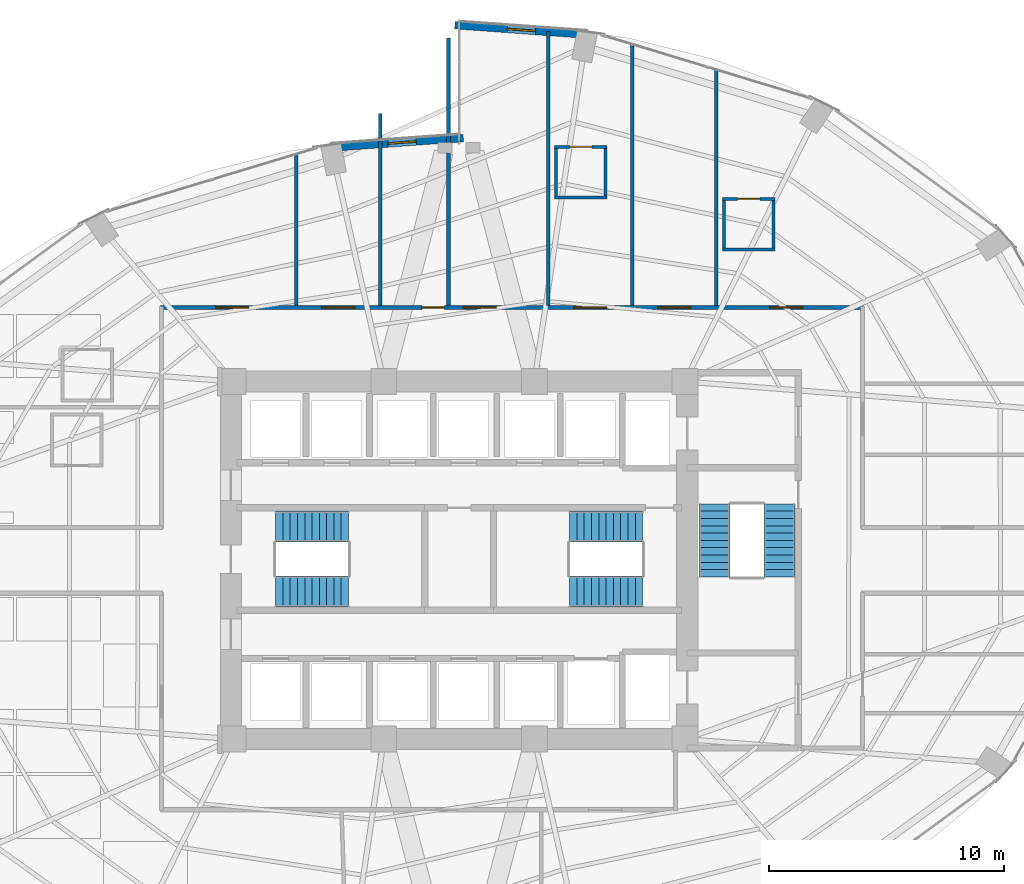
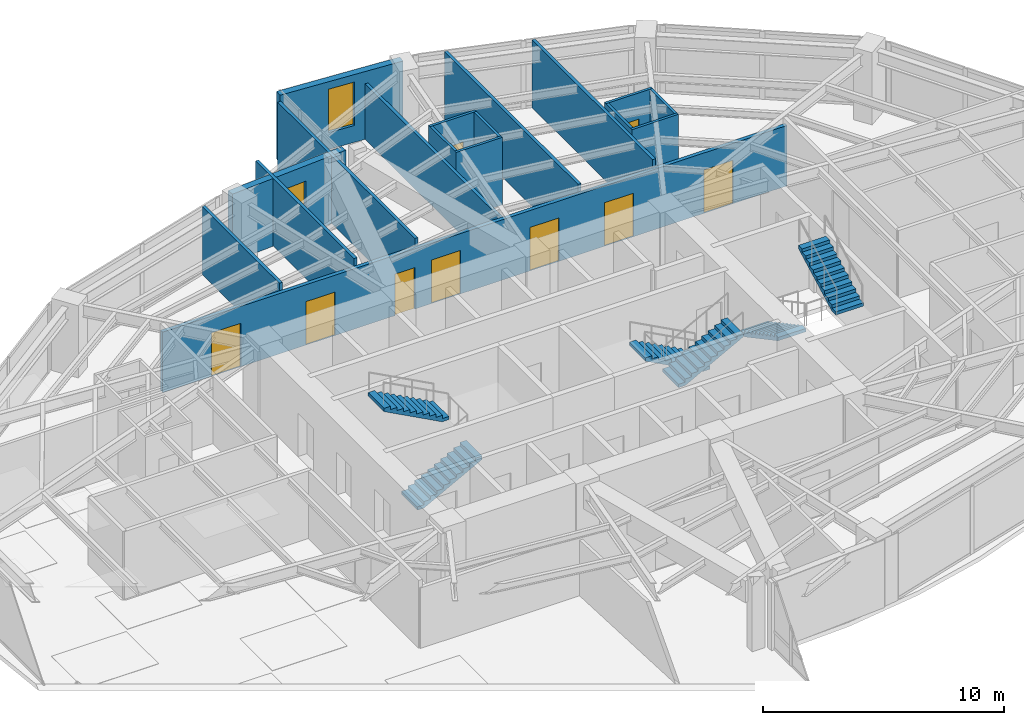
# One storey, part 23 of 25: 17 walls, 9 doors, 6 stair flights, 2 windows, 11 openings, 3 elements without a shape of their own.
"""IFC4 building model written with IfcOpenShell, lengths in metres."""

from ifc_helpers import new_model, si_unit, direction, frame, frame_2d, origin, place, context, subcontext, project, spatial, polyline, rectangle, outline, extrude, material, layer, layer_set, type_object, element, fill, aggregate, save


model = new_model("IFC4")

# Units and contexts
model_context = context("Model", 3, precision=1e-05, world=origin(), true_north=direction((0.0, 1.0)))
body_context = subcontext(model_context, "Body", "Model", "MODEL_VIEW")
ifc_project = project(units=[si_unit("LENGTHUNIT", "METRE"), si_unit("AREAUNIT", "SQUARE_METRE"), si_unit("VOLUMEUNIT", "CUBIC_METRE"), si_unit("PLANEANGLEUNIT", "RADIAN"), si_unit("MASSUNIT", "GRAM", prefix="KILO")], contexts=[model_context])

# Site, building, storey
site_placement = place(None, origin())
site = spatial("IfcSite", under=ifc_project, at=site_placement, CompositionType="ELEMENT")
building_placement = place(site_placement, origin())
building = spatial("IfcBuilding", under=site, at=building_placement, Name="Lazwardi Medical Tower", CompositionType="ELEMENT")
storey_placement = place(building_placement, frame((0.0, 0.0, 50.736083984375)))
storey = spatial("IfcBuildingStorey", under=building, at=storey_placement, Name="L12", CompositionType="ELEMENT", Elevation=50.736083984375)

# Wall, openings, doors
ifc_material_1 = material(Name="Fire-rated gypsum board on steel stud", Category="steel")
ifc_layer_1 = layer(ifc_material_1, 0.179931640625)
ifc_layer_set_1 = layer_set([ifc_layer_1], Name="Fire-rated gypsum board on steel stud")
wall_type_1 = type_object("IfcWallType", Name="WL-COR-180", PredefinedType="PARTITIONING", material=ifc_layer_set_1)
wall_1_placement = place(storey_placement, frame((23.31005859375, 38.75, 0.0), z_axis=(0.0, 0.0, 1.0), x_axis=(1.0, 0.0, 0.0)))
wall_1 = element("IfcWall", 1, at=wall_1_placement, inside=storey, type_object=wall_type_1, Name="L12 Corridor partition 4", PredefinedType="PARTITIONING", context=body_context, shape_type="SweptSolid", body=[
    extrude(rectangle(XDim=29.8798828125, YDim=0.179931640625, at=frame_2d((14.93994140625, 0.0))), origin(), (0.0, 0.0, 1.0), 3.052978515625),
])
opening_1_placement = place(wall_1_placement, frame((25.89111328125, 0.0, 0.0)))
opening_1 = element("IfcOpeningElement", 2, at=opening_1_placement, cuts=wall_1, Name="Opening D-L12-016", PredefinedType="OPENING", context=body_context, shape_type="SweptSolid", body=[
    extrude(rectangle(XDim=1.39990234375, YDim=2.199951171875, at=frame_2d((0.699951171875, 1.10009765625))), frame((0.0, 0.099853515625, 0.0), z_axis=(0.0, -1.0, 0.0), x_axis=(1.0, 0.0, 0.0)), (0.0, 0.0, 1.0), 0.199951171875),
])
opening_2_placement = place(wall_1_placement, frame((21.135009765625, 0.0, 0.0)))
opening_2 = element("IfcOpeningElement", 3, at=opening_2_placement, cuts=wall_1, Name="Opening D-L12-017", PredefinedType="OPENING", context=body_context, shape_type="SweptSolid", body=[
    extrude(rectangle(XDim=1.39990234375, YDim=2.199951171875, at=frame_2d((0.699951171875, 1.10009765625))), frame((0.0, 0.099853515625, 0.0), z_axis=(0.0, -1.0, 0.0), x_axis=(1.0, 0.0, 0.0)), (0.0, 0.0, 1.0), 0.199951171875),
])
opening_3_placement = place(wall_1_placement, frame((17.56494140625, 0.0, 0.0)))
opening_3 = element("IfcOpeningElement", 4, at=opening_3_placement, cuts=wall_1, Name="Opening D-L12-018", PredefinedType="OPENING", context=body_context, shape_type="SweptSolid", body=[
    extrude(rectangle(XDim=1.39990234375, YDim=2.199951171875, at=frame_2d((0.699951171875, 1.10009765625))), frame((0.0, 0.099853515625, 0.0), z_axis=(0.0, -1.0, 0.0), x_axis=(1.0, 0.0, 0.0)), (0.0, 0.0, 1.0), 0.199951171875),
])
opening_4_placement = place(wall_1_placement, frame((12.860107421875, 0.0, 0.0)))
opening_4 = element("IfcOpeningElement", 5, at=opening_4_placement, cuts=wall_1, Name="Opening D-L12-019", PredefinedType="OPENING", context=body_context, shape_type="SweptSolid", body=[
    extrude(rectangle(XDim=1.39990234375, YDim=2.199951171875, at=frame_2d((0.699951171875, 1.10009765625))), frame((0.0, 0.099853515625, 0.0), z_axis=(0.0, -1.0, 0.0), x_axis=(1.0, 0.0, 0.0)), (0.0, 0.0, 1.0), 0.199951171875),
])
opening_5_placement = place(wall_1_placement, frame((11.110107421875, 0.0, 0.0)))
opening_5 = element("IfcOpeningElement", 6, at=opening_5_placement, cuts=wall_1, Name="Opening D-L12-020", PredefinedType="OPENING", context=body_context, shape_type="SweptSolid", body=[
    extrude(rectangle(XDim=0.949951171875, YDim=2.10009765625, at=frame_2d((0.47509765625, 1.050048828125))), frame((0.0, 0.099853515625, 0.0), z_axis=(0.0, -1.0, 0.0), x_axis=(1.0, 0.0, 0.0)), (0.0, 0.0, 1.0), 0.199951171875),
])
opening_6_placement = place(wall_1_placement, frame((6.844970703125, 0.0, 0.0)))
opening_6 = element("IfcOpeningElement", 7, at=opening_6_placement, cuts=wall_1, Name="Opening D-L12-021", PredefinedType="OPENING", context=body_context, shape_type="SweptSolid", body=[
    extrude(rectangle(XDim=1.39990234375, YDim=2.199951171875, at=frame_2d((0.699951171875, 1.10009765625))), frame((0.0, 0.099853515625, 0.0), z_axis=(0.0, -1.0, 0.0), x_axis=(1.0, 0.0, 0.0)), (0.0, 0.0, 1.0), 0.199951171875),
])
opening_7_placement = place(wall_1_placement, frame((2.339111328125, 0.0, 0.0)))
opening_7 = element("IfcOpeningElement", 8, at=opening_7_placement, cuts=wall_1, Name="Opening D-L12-022", PredefinedType="OPENING", context=body_context, shape_type="SweptSolid", body=[
    extrude(rectangle(XDim=1.39990234375, YDim=2.199951171875, at=frame_2d((0.699951171875, 1.10009765625))), frame((0.0, 0.099853515625, 0.0), z_axis=(0.0, -1.0, 0.0), x_axis=(1.0, 0.0, 0.0)), (0.0, 0.0, 1.0), 0.199951171875),
])
ifc_material_2 = material(Name="Anti-microbial laminate hospital leaf")
door_type_1 = type_object("IfcDoorType", Name="DR-BED-1400", OperationType="NOTDEFINED", PredefinedType="DOOR", material=ifc_material_2)
door_1_placement = place(opening_1_placement, origin())
door_1 = element("IfcDoor", 9, at=door_1_placement, inside=storey, type_object=door_type_1, Name="L12 Inpatient Ward Door 07", OperationType="SINGLE_SWING_RIGHT", OverallHeight=2.199951171875, OverallWidth=1.39990234375, PredefinedType="DOOR", context=body_context, shape_type="SweptSolid", body=[
    extrude(rectangle(XDim=1.39990234375, YDim=2.199951171875, at=frame_2d((0.699951171875, 1.10009765625))), frame((0.0, 0.02490234375, 0.0), z_axis=(0.0, -1.0, 0.0), x_axis=(1.0, 0.0, 0.0)), (0.0, 0.0, 1.0), 0.050048828125),
])
fill(opening_1, door_1)
door_2_placement = place(opening_2_placement, origin())
door_2 = element("IfcDoor", 10, at=door_2_placement, inside=storey, type_object=door_type_1, Name="L12 Inpatient Ward Door 08", OperationType="SINGLE_SWING_LEFT", OverallHeight=2.199951171875, OverallWidth=1.39990234375, PredefinedType="DOOR", context=body_context, shape_type="SweptSolid", body=[
    extrude(rectangle(XDim=1.39990234375, YDim=2.199951171875, at=frame_2d((0.699951171875, 1.10009765625))), frame((0.0, 0.02490234375, 0.0), z_axis=(0.0, -1.0, 0.0), x_axis=(1.0, 0.0, 0.0)), (0.0, 0.0, 1.0), 0.050048828125),
])
fill(opening_2, door_2)
door_3_placement = place(opening_3_placement, origin())
door_3 = element("IfcDoor", 11, at=door_3_placement, inside=storey, type_object=door_type_1, Name="L12 Inpatient Ward Door 09", OperationType="SINGLE_SWING_LEFT", OverallHeight=2.199951171875, OverallWidth=1.39990234375, PredefinedType="DOOR", context=body_context, shape_type="SweptSolid", body=[
    extrude(rectangle(XDim=1.39990234375, YDim=2.199951171875, at=frame_2d((0.699951171875, 1.10009765625))), frame((0.0, 0.02490234375, 0.0), z_axis=(0.0, -1.0, 0.0), x_axis=(1.0, 0.0, 0.0)), (0.0, 0.0, 1.0), 0.050048828125),
])
fill(opening_3, door_3)
door_4_placement = place(opening_4_placement, origin())
door_4 = element("IfcDoor", 12, at=door_4_placement, inside=storey, type_object=door_type_1, Name="L12 Inpatient Ward Door 10", OperationType="SINGLE_SWING_RIGHT", OverallHeight=2.199951171875, OverallWidth=1.39990234375, PredefinedType="DOOR", context=body_context, shape_type="SweptSolid", body=[
    extrude(rectangle(XDim=1.39990234375, YDim=2.199951171875, at=frame_2d((0.699951171875, 1.10009765625))), frame((0.0, 0.02490234375, 0.0), z_axis=(0.0, -1.0, 0.0), x_axis=(1.0, 0.0, 0.0)), (0.0, 0.0, 1.0), 0.050048828125),
])
fill(opening_4, door_4)
door_5_placement = place(opening_6_placement, origin())
door_5 = element("IfcDoor", 13, at=door_5_placement, inside=storey, type_object=door_type_1, Name="L12 Inpatient Ward Door 12", OperationType="SINGLE_SWING_RIGHT", OverallHeight=2.199951171875, OverallWidth=1.39990234375, PredefinedType="DOOR", context=body_context, shape_type="SweptSolid", body=[
    extrude(rectangle(XDim=1.39990234375, YDim=2.199951171875, at=frame_2d((0.699951171875, 1.10009765625))), frame((0.0, 0.02490234375, 0.0), z_axis=(0.0, -1.0, 0.0), x_axis=(1.0, 0.0, 0.0)), (0.0, 0.0, 1.0), 0.050048828125),
])
fill(opening_6, door_5)
door_6_placement = place(opening_7_placement, origin())
door_6 = element("IfcDoor", 14, at=door_6_placement, inside=storey, type_object=door_type_1, Name="L12 Inpatient Ward Door 13", OperationType="SINGLE_SWING_RIGHT", OverallHeight=2.199951171875, OverallWidth=1.39990234375, PredefinedType="DOOR", context=body_context, shape_type="SweptSolid", body=[
    extrude(rectangle(XDim=1.39990234375, YDim=2.199951171875, at=frame_2d((0.699951171875, 1.10009765625))), frame((0.0, 0.02490234375, 0.0), z_axis=(0.0, -1.0, 0.0), x_axis=(1.0, 0.0, 0.0)), (0.0, 0.0, 1.0), 0.050048828125),
])
fill(opening_7, door_6)
ifc_material_3 = material(Name="Moisture-resistant laminate door leaf")
door_type_2 = type_object("IfcDoorType", Name="DR-ENS-950", OperationType="NOTDEFINED", PredefinedType="DOOR", material=ifc_material_3)
door_7_placement = place(opening_5_placement, origin())
door_7 = element("IfcDoor", 15, at=door_7_placement, inside=storey, type_object=door_type_2, Name="L12 Inpatient Ward Door 11", OperationType="SINGLE_SWING_LEFT", OverallHeight=2.10009765625, OverallWidth=0.949951171875, PredefinedType="DOOR", context=body_context, shape_type="SweptSolid", body=[
    extrude(rectangle(XDim=0.949951171875, YDim=2.10009765625, at=frame_2d((0.47509765625, 1.050048828125))), frame((0.0, 0.02490234375, 0.0), z_axis=(0.0, -1.0, 0.0), x_axis=(1.0, 0.0, 0.0)), (0.0, 0.0, 1.0), 0.050048828125),
])
fill(opening_5, door_7)

# Wall, opening, door
ifc_material_4 = material(Name="Moisture-resistant gypsum board partition")
ifc_layer_2 = layer(ifc_material_4, 0.125)
ifc_layer_set_2 = layer_set([ifc_layer_2], Name="Moisture-resistant gypsum board partition")
wall_type_2 = type_object("IfcWallType", Name="WL-ENS-125", PredefinedType="PARTITIONING", material=ifc_layer_set_2)
wall_2_placement = place(storey_placement, frame((47.205078125, 43.369140625, 0.0), z_axis=(0.0, 0.0, 1.0), x_axis=(1.0, 0.0, 0.0)))
wall_2 = element("IfcWall", 16, at=wall_2_placement, inside=storey, type_object=wall_type_2, Name="L12 En-suite wall 7N", PredefinedType="PARTITIONING", context=body_context, shape_type="SweptSolid", body=[
    extrude(rectangle(XDim=2.219970703125, YDim=0.125, at=frame_2d((1.10986328125, 0.0))), origin(), (0.0, 0.0, 1.0), 3.427978515625),
])
opening_8_placement = place(wall_2_placement, frame((0.635009765625, 0.0, 0.0)))
opening_8 = element("IfcOpeningElement", 17, at=opening_8_placement, cuts=wall_2, Name="Opening D-L12-003", PredefinedType="OPENING", context=body_context, shape_type="SweptSolid", body=[
    extrude(rectangle(XDim=0.949951171875, YDim=2.10009765625, at=frame_2d((0.47509765625, 1.050048828125))), frame((0.0, 0.072509765625, 0.0), z_axis=(0.0, -1.0, 0.0), x_axis=(1.0, 0.0, 0.0)), (0.0, 0.0, 1.0), 0.14501953125),
])
door_8_placement = place(opening_8_placement, origin())
door_8 = element("IfcDoor", 18, at=door_8_placement, inside=storey, type_object=door_type_2, Name="L12 En-suite Door 07", OperationType="SINGLE_SWING_LEFT", OverallHeight=2.10009765625, OverallWidth=0.949951171875, PredefinedType="DOOR", context=body_context, shape_type="SweptSolid", body=[
    extrude(rectangle(XDim=0.949951171875, YDim=2.10009765625, at=frame_2d((0.47509765625, 1.050048828125))), frame((0.0, 0.02490234375, 0.0), z_axis=(0.0, -1.0, 0.0), x_axis=(1.0, 0.0, 0.0)), (0.0, 0.0, 1.0), 0.050048828125),
])
fill(opening_8, door_8)

# Walls
wall_3_placement = place(storey_placement, frame((47.205078125, 41.208984375, 0.0), z_axis=(0.0, 0.0, 1.0), x_axis=(1.0, 0.0, 0.0)))
element("IfcWall", 19, at=wall_3_placement, inside=storey, type_object=wall_type_2, Name="L12 En-suite wall 7S", PredefinedType="PARTITIONING", context=body_context, shape_type="SweptSolid", body=[
    extrude(rectangle(XDim=2.219970703125, YDim=0.125, at=frame_2d((1.10986328125, 0.0))), origin(), (0.0, 0.0, 1.0), 3.427978515625),
])
for number, where, z_axis, x_axis, name in (
    (20, (49.364990234375, 41.149169921875, 0.0), (0.0, 0.0, 1.0), (0.0, 1.0, 0.0), "L12 En-suite wall 7E"),
    (21, (47.264892578125, 41.149169921875, 0.0), (0.0, 0.0, 1.0), (0.0, 1.0, 0.0), "L12 En-suite wall 7W"),
):
    element("IfcWall", number, at=place(storey_placement, frame(where, z_axis=z_axis, x_axis=x_axis)), inside=storey, type_object=wall_type_2, Name=name, PredefinedType="PARTITIONING", context=body_context, shape_type="SweptSolid", body=[
        extrude(rectangle(XDim=2.280029296875, YDim=0.125, at=frame_2d((1.14013671875, 0.0))), origin(), (0.0, 0.0, 1.0), 3.427978515625),
    ])

# Wall, opening, door
wall_4_placement = place(storey_placement, frame((40.06494140625, 45.5810546875, 0.0), z_axis=(0.0, 0.0, 1.0), x_axis=(1.0, 0.0, 0.0)))
wall_4 = element("IfcWall", 22, at=wall_4_placement, inside=storey, type_object=wall_type_2, Name="L12 En-suite wall 9N", PredefinedType="PARTITIONING", context=body_context, shape_type="SweptSolid", body=[
    extrude(rectangle(XDim=2.219970703125, YDim=0.125, at=frame_2d((1.10986328125, 0.0))), origin(), (0.0, 0.0, 1.0), 3.427978515625),
])
opening_9_placement = place(wall_4_placement, frame((0.635009765625, 0.0, 0.0)))
opening_9 = element("IfcOpeningElement", 23, at=opening_9_placement, cuts=wall_4, Name="Opening D-L12-004", PredefinedType="OPENING", context=body_context, shape_type="SweptSolid", body=[
    extrude(rectangle(XDim=0.949951171875, YDim=2.10009765625, at=frame_2d((0.47509765625, 1.050048828125))), frame((0.0, 0.072509765625, 0.0), z_axis=(0.0, -1.0, 0.0), x_axis=(1.0, 0.0, 0.0)), (0.0, 0.0, 1.0), 0.14501953125),
])
door_9_placement = place(opening_9_placement, origin())
door_9 = element("IfcDoor", 24, at=door_9_placement, inside=storey, type_object=door_type_2, Name="L12 En-suite Door 09", OperationType="SINGLE_SWING_RIGHT", OverallHeight=2.10009765625, OverallWidth=0.949951171875, PredefinedType="DOOR", context=body_context, shape_type="SweptSolid", body=[
    extrude(rectangle(XDim=0.949951171875, YDim=2.10009765625, at=frame_2d((0.47509765625, 1.050048828125))), frame((0.0, 0.02490234375, 0.0), z_axis=(0.0, -1.0, 0.0), x_axis=(1.0, 0.0, 0.0)), (0.0, 0.0, 1.0), 0.050048828125),
])
fill(opening_9, door_9)

# Walls
wall_5_placement = place(storey_placement, frame((40.06494140625, 43.4208984375, 0.0), z_axis=(0.0, 0.0, 1.0), x_axis=(1.0, 0.0, 0.0)))
element("IfcWall", 25, at=wall_5_placement, inside=storey, type_object=wall_type_2, Name="L12 En-suite wall 9S", PredefinedType="PARTITIONING", context=body_context, shape_type="SweptSolid", body=[
    extrude(rectangle(XDim=2.219970703125, YDim=0.125, at=frame_2d((1.10986328125, 0.0))), origin(), (0.0, 0.0, 1.0), 3.427978515625),
])
for number, where, z_axis, x_axis, name in (
    (26, (42.22509765625, 43.361083984375, 0.0), (0.0, 0.0, 1.0), (0.0, 1.0, 0.0), "L12 En-suite wall 9E"),
    (27, (40.125, 43.361083984375, 0.0), (0.0, 0.0, 1.0), (0.0, 1.0, 0.0), "L12 En-suite wall 9W"),
):
    element("IfcWall", number, at=place(storey_placement, frame(where, z_axis=z_axis, x_axis=x_axis)), inside=storey, type_object=wall_type_2, Name=name, PredefinedType="PARTITIONING", context=body_context, shape_type="SweptSolid", body=[
        extrude(rectangle(XDim=2.280029296875, YDim=0.125, at=frame_2d((1.14013671875, 0.0))), origin(), (0.0, 0.0, 1.0), 3.427978515625),
    ])

# Wall, opening, window
ifc_material_5 = material(Name="Precast concrete C45/55", Category="concrete")
ifc_layer_3 = layer(ifc_material_5, 0.320068359375)
ifc_layer_set_3 = layer_set([ifc_layer_3], Name="Precast concrete C45/55")
wall_type_3 = type_object("IfcWallType", Name="WL-IWAN-320", PredefinedType="SOLIDWALL", material=ifc_layer_set_3)
wall_6_placement = place(storey_placement, frame((41.481201171875, 50.345703125, 0.0), z_axis=(0.0, 0.0, 1.0), x_axis=(-0.997422321809, 0.071754525696, 0.0)))
wall_6 = element("IfcWall", 28, at=wall_6_placement, inside=storey, type_object=wall_type_3, Name="L12 Iwan Portal Return Wall NE_ret", PredefinedType="SOLIDWALL", context=body_context, shape_type="SweptSolid", body=[
    extrude(rectangle(XDim=5.67529296875, YDim=0.320068359375, at=frame_2d((2.837646484375, 0.0))), origin(), (0.0, 0.0, 1.0), 3.427978515625),
])
opening_10_placement = place(wall_6_placement, frame((2.23779296875, 0.0, 0.85009765625)))
opening_10 = element("IfcOpeningElement", 29, at=opening_10_placement, cuts=wall_6, Name="Opening WN-01", PredefinedType="OPENING", context=body_context, shape_type="SweptSolid", body=[
    extrude(rectangle(XDim=1.199951171875, YDim=2.199951171875, at=frame_2d((0.60009765625, 1.10009765625))), frame((0.0, 0.169921875, 0.0), z_axis=(0.0, -1.0, 0.0), x_axis=(1.0, 0.0, 0.0)), (0.0, 0.0, 1.0), 0.340087890625),
])
ifc_material_6 = material(Name="Low-e bronze solar control double glazing", Category="glass")
window_type_1 = type_object("IfcWindowType", Name="WIN-IW-1200", PartitioningType="SINGLE_PANEL", PredefinedType="WINDOW", material=ifc_material_6)
window_1_placement = place(opening_10_placement, origin())
window_1 = element("IfcWindow", 30, at=window_1_placement, inside=storey, type_object=window_type_1, Name="L12 Iwan Slot Window NE_ret", OverallHeight=2.199951171875, OverallWidth=1.199951171875, PartitioningType="SINGLE_PANEL", PredefinedType="WINDOW", context=body_context, shape_type="SweptSolid", body=[
    extrude(rectangle(XDim=1.199951171875, YDim=2.199951171875, at=frame_2d((0.60009765625, 1.10009765625))), frame((0.0, 0.030029296875, 0.0), z_axis=(0.0, -1.0, 0.0), x_axis=(1.0, 0.0, 0.0)), (0.0, 0.0, 1.0), 0.06005859375),
])
fill(opening_10, window_1)

wall_7_placement = place(storey_placement, frame((36.178955078125, 45.952880859375, 0.0), z_axis=(0.0, 0.0, 1.0), x_axis=(-0.997421878774, -0.071760683825, 0.0)))
wall_7 = element("IfcWall", 31, at=wall_7_placement, inside=storey, type_object=wall_type_3, Name="L12 Iwan Portal Return Wall NW_ret", PredefinedType="SOLIDWALL", context=body_context, shape_type="SweptSolid", body=[
    extrude(rectangle(XDim=5.6748046875, YDim=0.320068359375, at=frame_2d((2.83740234375, 0.0))), origin(), (0.0, 0.0, 1.0), 3.427978515625),
])
opening_11_placement = place(wall_7_placement, frame((2.007080078125, 0.0, 0.85009765625)))
opening_11 = element("IfcOpeningElement", 32, at=opening_11_placement, cuts=wall_7, Name="Opening WN-04", PredefinedType="OPENING", context=body_context, shape_type="SweptSolid", body=[
    extrude(rectangle(XDim=1.199951171875, YDim=1.800048828125, at=frame_2d((0.60009765625, 0.89990234375))), frame((0.0, 0.169921875, 0.0), z_axis=(0.0, -1.0, 0.0), x_axis=(1.0, 0.0, 0.0)), (0.0, 0.0, 1.0), 0.340087890625),
])
window_type_2 = type_object("IfcWindowType", Name="WIN-DRUM-1200", PartitioningType="SINGLE_PANEL", PredefinedType="WINDOW", material=ifc_material_6)
window_2_placement = place(opening_11_placement, origin())
window_2 = element("IfcWindow", 33, at=window_2_placement, inside=storey, type_object=window_type_2, Name="L12 Iwan Slot Window NW_ret", OverallHeight=1.800048828125, OverallWidth=1.199951171875, PartitioningType="SINGLE_PANEL", PredefinedType="WINDOW", context=body_context, shape_type="SweptSolid", body=[
    extrude(rectangle(XDim=1.199951171875, YDim=1.800048828125, at=frame_2d((0.60009765625, 0.89990234375))), frame((0.0, 0.030029296875, 0.0), z_axis=(0.0, -1.0, 0.0), x_axis=(1.0, 0.0, 0.0)), (0.0, 0.0, 1.0), 0.06005859375),
])
fill(opening_11, window_2)

# Walls
ifc_material_7 = material(Name="Acoustic gypsum board partition")
ifc_layer_4 = layer(ifc_material_7, 0.14990234375)
ifc_layer_set_4 = layer_set([ifc_layer_4], Name="Acoustic gypsum board partition")
wall_type_4 = type_object("IfcWallType", Name="WL-WRD-150", PredefinedType="PARTITIONING", material=ifc_layer_set_4)
wall_8_placement = place(storey_placement, frame((29.070068359375, 38.840087890625, 0.0), z_axis=(0.0, 0.0, 1.0), x_axis=(0.0, 1.0, 0.0)))
element("IfcWall", 34, at=wall_8_placement, inside=storey, type_object=wall_type_4, Name="L12 Room partition 6", PredefinedType="PARTITIONING", context=body_context, shape_type="SweptSolid", body=[
    extrude(rectangle(XDim=6.414306640625, YDim=0.14990234375, at=frame_2d((3.20703125, 0.0))), origin(), (0.0, 0.0, 1.0), 3.427978515625),
])
wall_9_placement = place(storey_placement, frame((32.639892578125, 38.840087890625, 0.0), z_axis=(0.0, 0.0, 1.0), x_axis=(0.0, 1.0, 0.0)))
element("IfcWall", 35, at=wall_9_placement, inside=storey, type_object=wall_type_4, Name="L12 Room partition 7", PredefinedType="PARTITIONING", context=body_context, shape_type="SweptSolid", body=[
    extrude(rectangle(XDim=8.15087890625, YDim=0.14990234375, at=frame_2d((4.075439453125, 0.0))), origin(), (0.0, 0.0, 1.0), 3.427978515625),
])
wall_10_placement = place(storey_placement, frame((35.550048828125, 38.840087890625, 0.0), z_axis=(0.0, 0.0, 1.0), x_axis=(0.0, 1.0, 0.0)))
element("IfcWall", 36, at=wall_10_placement, inside=storey, type_object=wall_type_4, Name="L12 Room partition 8", PredefinedType="PARTITIONING", context=body_context, shape_type="SweptSolid", body=[
    extrude(rectangle(XDim=11.367431640625, YDim=0.14990234375, at=frame_2d((5.68359375, 0.0))), origin(), (0.0, 0.0, 1.0), 3.427978515625),
])
wall_11_placement = place(storey_placement, frame((39.7900390625, 38.840087890625, 0.0), z_axis=(0.0, 0.0, 1.0), x_axis=(0.0, 1.0, 0.0)))
element("IfcWall", 37, at=wall_11_placement, inside=storey, type_object=wall_type_4, Name="L12 Room partition 9", PredefinedType="PARTITIONING", context=body_context, shape_type="SweptSolid", body=[
    extrude(rectangle(XDim=11.634765625, YDim=0.14990234375, at=frame_2d((5.8173828125, 0.0))), origin(), (0.0, 0.0, 1.0), 2.81298828125),
])
wall_12_placement = place(storey_placement, frame((43.360107421875, 38.840087890625, 0.0), z_axis=(0.0, 0.0, 1.0), x_axis=(0.0, 1.0, 0.0)))
element("IfcWall", 38, at=wall_12_placement, inside=storey, type_object=wall_type_4, Name="L12 Room partition 10", PredefinedType="PARTITIONING", context=body_context, shape_type="SweptSolid", body=[
    extrude(rectangle(XDim=11.084228515625, YDim=0.14990234375, at=frame_2d((5.5419921875, 0.0))), origin(), (0.0, 0.0, 1.0), 3.427978515625),
])
wall_13_placement = place(storey_placement, frame((46.929931640625, 38.840087890625, 0.0), z_axis=(0.0, 0.0, 1.0), x_axis=(0.0, 1.0, 0.0)))
element("IfcWall", 39, at=wall_13_placement, inside=storey, type_object=wall_type_4, Name="L12 Room partition 11", PredefinedType="PARTITIONING", context=body_context, shape_type="SweptSolid", body=[
    extrude(rectangle(XDim=10.0029296875, YDim=0.14990234375, at=frame_2d((5.00146484375, 0.0))), origin(), (0.0, 0.0, 1.0), 3.427978515625),
])

# Stair, stair flights
ifc_material_8 = material(Name="Concrete C45/55", Category="concrete")
stair_type = type_object("IfcStairType", Name="STR-WRD", PredefinedType="HALF_TURN_STAIR", material=ifc_material_8)
stair_1_placement = place(storey_placement, origin())
stair_1 = element("IfcStair", 40, at=stair_1_placement, inside=storey, type_object=stair_type, Name="L12 Protected Exit Stair ST1", PredefinedType="HALF_TURN_STAIR")
stair_flight_type = type_object("IfcStairFlightType", Name="FLT-WRD", PredefinedType="STRAIGHT", material=ifc_material_8)
stair_flight_1_placement = place(storey_placement, frame((28.199951171875, 26.679931640625, 0.0), z_axis=(0.0, 0.0, 1.0), x_axis=(1.0, 0.0, 0.0)))
stair_flight_1 = element("IfcStairFlight", 41, at=stair_flight_1_placement, type_object=stair_flight_type, Name="ST1 flight 1", NumberOfRisers=11, NumberOfTreads=10, PredefinedType="STRAIGHT", RiserHeight=0.165818182, TreadLength=0.31, context=body_context, shape_type="SweptSolid", body=[
    extrude(outline(polyline([(0.0, 0.0), (0.0, 0.165771484375), (0.31005859375, 0.165771484375), (0.31005859375, 0.33154296875), (0.6201171875, 0.33154296875), (0.6201171875, 0.49755859375), (0.929931640625, 0.49755859375), (0.929931640625, 0.663330078125), (1.239990234375, 0.663330078125), (1.239990234375, 0.8291015625), (1.550048828125, 0.8291015625), (1.550048828125, 0.994873046875), (1.860107421875, 0.994873046875), (1.860107421875, 1.16064453125), (2.169921875, 1.16064453125), (2.169921875, 1.32666015625), (2.47998046875, 1.32666015625), (2.47998046875, 1.492431640625), (2.7900390625, 1.492431640625), (2.7900390625, 1.658203125), (3.10009765625, 1.658203125), (3.10009765625, 1.823974609375), (3.10009765625, 1.48828125), (0.31787109375, 0.0), (0.0, 0.0)])), frame((0.0, 0.66015625, 0.0), z_axis=(0.0, -1.0, 0.0), x_axis=(1.0, 0.0, 0.0)), (0.0, 0.0, 1.0), 1.320068359375),
])
stair_flight_2_placement = place(storey_placement, frame((31.300048828125, 29.43994140625, 1.823974609375), z_axis=(0.0, 0.0, 1.0), x_axis=(-1.0, 0.0, 0.0)))
stair_flight_2 = element("IfcStairFlight", 42, at=stair_flight_2_placement, type_object=stair_flight_type, Name="ST1 flight 2", NumberOfRisers=11, NumberOfTreads=10, PredefinedType="STRAIGHT", RiserHeight=0.165818182, TreadLength=0.31, context=body_context, shape_type="SweptSolid", body=[
    extrude(outline(polyline([(0.0, 0.0), (0.0, 0.165771484375), (0.31005859375, 0.165771484375), (0.31005859375, 0.33154296875), (0.6201171875, 0.33154296875), (0.6201171875, 0.49755859375), (0.929931640625, 0.49755859375), (0.929931640625, 0.663330078125), (1.239990234375, 0.663330078125), (1.239990234375, 0.8291015625), (1.550048828125, 0.8291015625), (1.550048828125, 0.994873046875), (1.860107421875, 0.994873046875), (1.860107421875, 1.16064453125), (2.169921875, 1.16064453125), (2.169921875, 1.32666015625), (2.47998046875, 1.32666015625), (2.47998046875, 1.492431640625), (2.7900390625, 1.492431640625), (2.7900390625, 1.658203125), (3.10009765625, 1.658203125), (3.10009765625, 1.823974609375), (3.10009765625, 1.48828125), (0.31787109375, 0.0), (0.0, 0.0)])), frame((0.0, 0.66015625, 0.0), z_axis=(0.0, -1.0, 0.0), x_axis=(1.0, 0.0, 0.0)), (0.0, 0.0, 1.0), 1.320068359375),
])
aggregate(stair_1, [stair_flight_1, stair_flight_2])

stair_2_placement = place(storey_placement, origin())
stair_2 = element("IfcStair", 43, at=stair_2_placement, inside=storey, type_object=stair_type, Name="L12 Protected Exit Stair ST2", PredefinedType="HALF_TURN_STAIR")
stair_flight_3_placement = place(storey_placement, frame((43.800048828125, 29.43994140625, 0.0), z_axis=(0.0, 0.0, 1.0), x_axis=(-1.0, 0.0, 0.0)))
stair_flight_3 = element("IfcStairFlight", 44, at=stair_flight_3_placement, type_object=stair_flight_type, Name="ST2 flight 1", NumberOfRisers=11, NumberOfTreads=10, PredefinedType="STRAIGHT", RiserHeight=0.165818182, TreadLength=0.31, context=body_context, shape_type="SweptSolid", body=[
    extrude(outline(polyline([(0.0, 0.0), (0.0, 0.165771484375), (0.31005859375, 0.165771484375), (0.31005859375, 0.33154296875), (0.6201171875, 0.33154296875), (0.6201171875, 0.49755859375), (0.929931640625, 0.49755859375), (0.929931640625, 0.663330078125), (1.239990234375, 0.663330078125), (1.239990234375, 0.8291015625), (1.550048828125, 0.8291015625), (1.550048828125, 0.994873046875), (1.860107421875, 0.994873046875), (1.860107421875, 1.16064453125), (2.169921875, 1.16064453125), (2.169921875, 1.32666015625), (2.47998046875, 1.32666015625), (2.47998046875, 1.492431640625), (2.7900390625, 1.492431640625), (2.7900390625, 1.658203125), (3.10009765625, 1.658203125), (3.10009765625, 1.823974609375), (3.10009765625, 1.48828125), (0.31787109375, 0.0), (0.0, 0.0)])), frame((0.0, 0.66015625, 0.0), z_axis=(0.0, -1.0, 0.0), x_axis=(1.0, 0.0, 0.0)), (0.0, 0.0, 1.0), 1.320068359375),
])
stair_flight_4_placement = place(storey_placement, frame((40.699951171875, 26.679931640625, 1.823974609375), z_axis=(0.0, 0.0, 1.0), x_axis=(1.0, 0.0, 0.0)))
stair_flight_4 = element("IfcStairFlight", 45, at=stair_flight_4_placement, type_object=stair_flight_type, Name="ST2 flight 2", NumberOfRisers=11, NumberOfTreads=10, PredefinedType="STRAIGHT", RiserHeight=0.165818182, TreadLength=0.31, context=body_context, shape_type="SweptSolid", body=[
    extrude(outline(polyline([(0.0, 0.0), (0.0, 0.165771484375), (0.31005859375, 0.165771484375), (0.31005859375, 0.33154296875), (0.6201171875, 0.33154296875), (0.6201171875, 0.49755859375), (0.929931640625, 0.49755859375), (0.929931640625, 0.663330078125), (1.239990234375, 0.663330078125), (1.239990234375, 0.8291015625), (1.550048828125, 0.8291015625), (1.550048828125, 0.994873046875), (1.860107421875, 0.994873046875), (1.860107421875, 1.16064453125), (2.169921875, 1.16064453125), (2.169921875, 1.32666015625), (2.47998046875, 1.32666015625), (2.47998046875, 1.492431640625), (2.7900390625, 1.492431640625), (2.7900390625, 1.658203125), (3.10009765625, 1.658203125), (3.10009765625, 1.823974609375), (3.10009765625, 1.48828125), (0.31787109375, 0.0), (0.0, 0.0)])), frame((0.0, 0.66015625, 0.0), z_axis=(0.0, -1.0, 0.0), x_axis=(1.0, 0.0, 0.0)), (0.0, 0.0, 1.0), 1.320068359375),
])
aggregate(stair_2, [stair_flight_3, stair_flight_4])

stair_3_placement = place(storey_placement, origin())
stair_3 = element("IfcStair", 46, at=stair_3_placement, inside=storey, type_object=stair_type, Name="L12 Protected Exit Stair ST3", PredefinedType="HALF_TURN_STAIR")
stair_flight_5_placement = place(storey_placement, frame((46.860107421875, 30.39990234375, 0.0), z_axis=(0.0, 0.0, 1.0), x_axis=(0.0, -1.0, 0.0)))
stair_flight_5 = element("IfcStairFlight", 47, at=stair_flight_5_placement, type_object=stair_flight_type, Name="ST3 flight 1", NumberOfRisers=11, NumberOfTreads=10, PredefinedType="STRAIGHT", RiserHeight=0.165818182, TreadLength=0.31, context=body_context, shape_type="SweptSolid", body=[
    extrude(outline(polyline([(0.0, 0.0), (0.0, 0.165771484375), (0.31005859375, 0.165771484375), (0.31005859375, 0.33154296875), (0.6201171875, 0.33154296875), (0.6201171875, 0.49755859375), (0.929931640625, 0.49755859375), (0.929931640625, 0.663330078125), (1.239990234375, 0.663330078125), (1.239990234375, 0.8291015625), (1.550048828125, 0.8291015625), (1.550048828125, 0.994873046875), (1.860107421875, 0.994873046875), (1.860107421875, 1.16064453125), (2.169921875, 1.16064453125), (2.169921875, 1.32666015625), (2.47998046875, 1.32666015625), (2.47998046875, 1.492431640625), (2.7900390625, 1.492431640625), (2.7900390625, 1.658203125), (3.10009765625, 1.658203125), (3.10009765625, 1.823974609375), (3.10009765625, 1.48828125), (0.31787109375, 0.0), (0.0, 0.0)])), frame((0.0, 0.66015625, 0.0), z_axis=(0.0, -1.0, 0.0), x_axis=(1.0, 0.0, 0.0)), (0.0, 0.0, 1.0), 1.320068359375),
])
stair_flight_6_placement = place(storey_placement, frame((49.6201171875, 27.300048828125, 1.823974609375), z_axis=(0.0, 0.0, 1.0), x_axis=(0.0, 1.0, 0.0)))
stair_flight_6 = element("IfcStairFlight", 48, at=stair_flight_6_placement, type_object=stair_flight_type, Name="ST3 flight 2", NumberOfRisers=11, NumberOfTreads=10, PredefinedType="STRAIGHT", RiserHeight=0.165818182, TreadLength=0.31, context=body_context, shape_type="SweptSolid", body=[
    extrude(outline(polyline([(0.0, 0.0), (0.0, 0.165771484375), (0.31005859375, 0.165771484375), (0.31005859375, 0.33154296875), (0.6201171875, 0.33154296875), (0.6201171875, 0.49755859375), (0.929931640625, 0.49755859375), (0.929931640625, 0.663330078125), (1.239990234375, 0.663330078125), (1.239990234375, 0.8291015625), (1.550048828125, 0.8291015625), (1.550048828125, 0.994873046875), (1.860107421875, 0.994873046875), (1.860107421875, 1.16064453125), (2.169921875, 1.16064453125), (2.169921875, 1.32666015625), (2.47998046875, 1.32666015625), (2.47998046875, 1.492431640625), (2.7900390625, 1.492431640625), (2.7900390625, 1.658203125), (3.10009765625, 1.658203125), (3.10009765625, 1.823974609375), (3.10009765625, 1.48828125), (0.31787109375, 0.0), (0.0, 0.0)])), frame((0.0, 0.66015625, 0.0), z_axis=(0.0, -1.0, 0.0), x_axis=(1.0, 0.0, 0.0)), (0.0, 0.0, 1.0), 1.320068359375),
])
aggregate(stair_3, [stair_flight_5, stair_flight_6])

save(model, "model.ifc")
